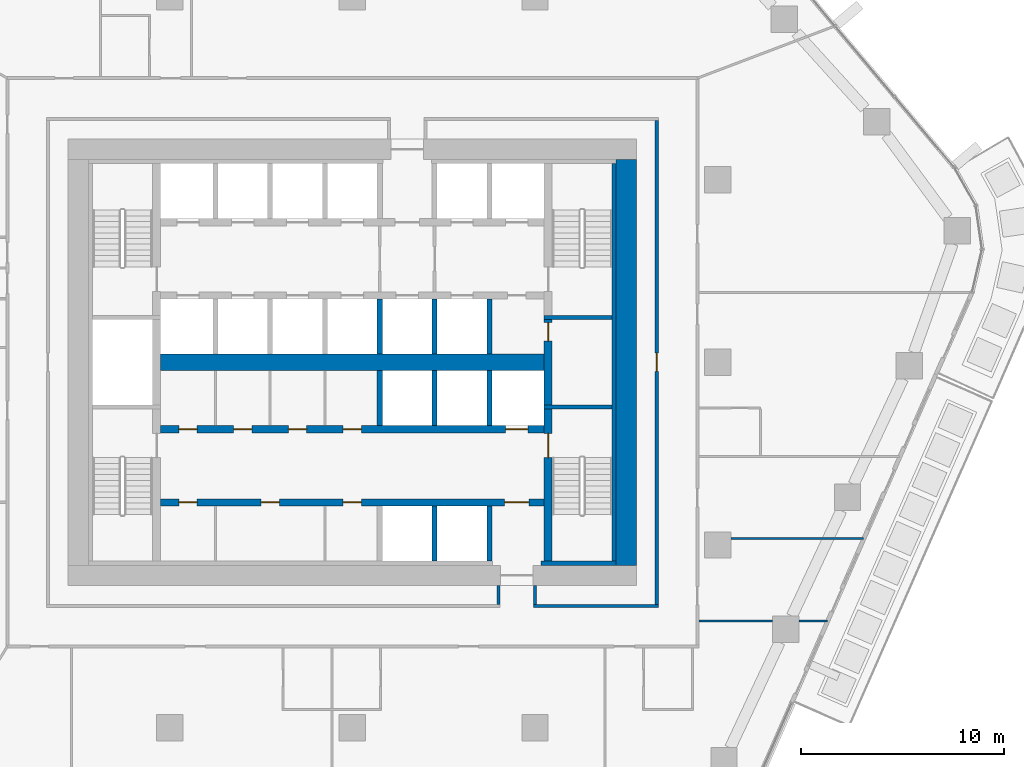
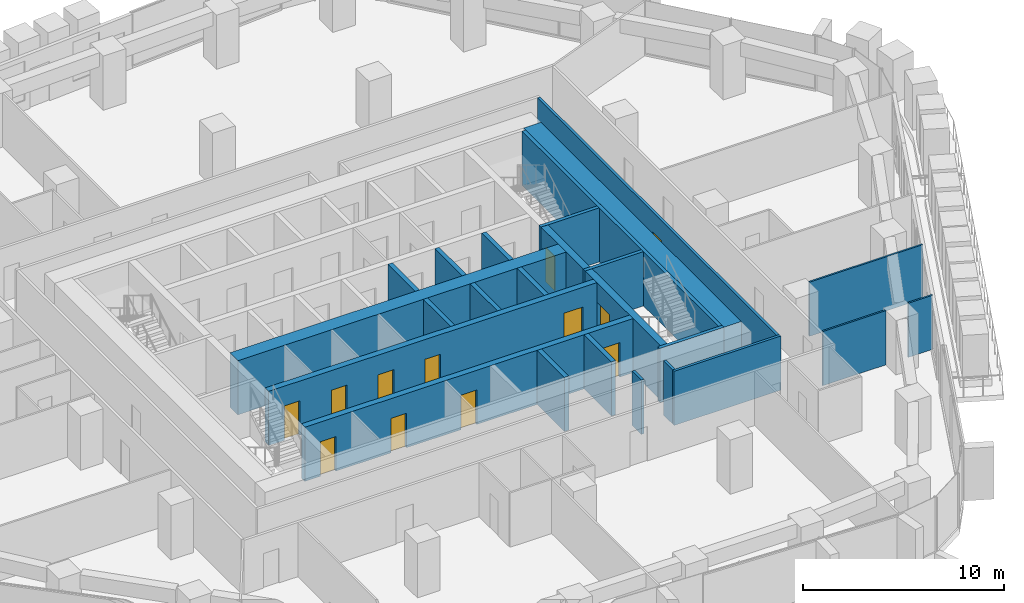
# One storey, part 13 of 23: 25 walls, 12 doors, 12 openings.
"""IFC4 building model written with IfcOpenShell, lengths in metres."""

from ifc_helpers import new_model, si_unit, direction, frame, frame_2d, origin, place, context, subcontext, project, spatial, rectangle, extrude, material, layer, layer_set, type_object, element, fill, save


model = new_model("IFC4")

# Units and contexts
model_context = context("Model", 3, precision=1e-05, world=origin(), true_north=direction((0.0, 1.0)))
body_context = subcontext(model_context, "Body", "Model", "MODEL_VIEW")
ifc_project = project(units=[si_unit("LENGTHUNIT", "METRE"), si_unit("AREAUNIT", "SQUARE_METRE"), si_unit("VOLUMEUNIT", "CUBIC_METRE"), si_unit("PLANEANGLEUNIT", "RADIAN"), si_unit("MASSUNIT", "GRAM", prefix="KILO")], contexts=[model_context])

# Site, building, storey
site_placement = place(None, origin())
site = spatial("IfcSite", under=ifc_project, at=site_placement, CompositionType="ELEMENT")
building_placement = place(site_placement, origin())
building = spatial("IfcBuilding", under=site, at=building_placement, Name="Dongbaek Canopy Tower", CompositionType="ELEMENT")
storey_placement = place(building_placement, frame((0.0, 0.0, 135.89990234375)))
storey = spatial("IfcBuildingStorey", under=building, at=storey_placement, Name="L30", CompositionType="ELEMENT", Elevation=135.89990234375)

# Wall
ifc_material_1 = material(Name="Concrete C60/75", Category="concrete")
ifc_layer_1 = layer(ifc_material_1, 0.800048828125)
ifc_layer_set_1 = layer_set([ifc_layer_1], Name="Core central wall 800 Concrete C60/75")
wall_type_1 = type_object("IfcWallType", Name="Core central wall 800 Concrete C60/75", PredefinedType="SHEAR", material=ifc_layer_set_1)
wall_1_placement = place(storey_placement, frame((-9.449951171875, 0.0, 0.0), z_axis=(0.0, 0.0, 1.0), x_axis=(1.0, 0.0, 0.0)))
element("IfcWall", 1, at=wall_1_placement, inside=storey, type_object=wall_type_1, Name="Core wall", PredefinedType="SHEAR", context=body_context, shape_type="SweptSolid", body=[
    extrude(rectangle(XDim=18.89990234375, YDim=0.800048828125, at=frame_2d((9.449951171875, 0.0))), origin(), (0.0, 0.0, 1.0), 3.300048828125),
])

# Wall, openings, doors
ifc_material_2 = material(Name="Concrete C60/75", Category="concrete")
ifc_layer_2 = layer(ifc_material_2, 0.35009765625)
ifc_layer_set_2 = layer_set([ifc_layer_2], Name="Core lobby wall 350 Concrete C60/75")
wall_type_2 = type_object("IfcWallType", Name="Core lobby wall 350 Concrete C60/75", PredefinedType="SHEAR", material=ifc_layer_set_2)
wall_2_placement = place(storey_placement, frame((-9.449951171875, -3.300048828125, 0.0), z_axis=(0.0, 0.0, 1.0), x_axis=(1.0, 0.0, 0.0)))
wall_2 = element("IfcWall", 2, at=wall_2_placement, inside=storey, type_object=wall_type_2, Name="Core wall", PredefinedType="SHEAR", context=body_context, shape_type="SweptSolid", body=[
    extrude(rectangle(XDim=18.89990234375, YDim=0.35009765625, at=frame_2d((9.449951171875, 0.0))), origin(), (0.0, 0.0, 1.0), 3.300048828125),
])
opening_1_placement = place(wall_2_placement, frame((17.0, 0.0, 0.0)))
opening_1 = element("IfcOpeningElement", 3, at=opening_1_placement, cuts=wall_2, Name="Opening L30-D041", PredefinedType="OPENING", context=body_context, shape_type="SweptSolid", body=[
    extrude(rectangle(XDim=1.10009765625, YDim=2.10009765625, at=frame_2d((0.550048828125, 1.050048828125))), frame((0.0, 0.18505859375, 0.0), z_axis=(0.0, -1.0, 0.0), x_axis=(1.0, 0.0, 0.0)), (0.0, 0.0, 1.0), 0.3701171875),
])
opening_2_placement = place(wall_2_placement, frame((0.89990234375, 0.0, 0.0)))
opening_2 = element("IfcOpeningElement", 4, at=opening_2_placement, cuts=wall_2, Name="Opening L30-D044", PredefinedType="OPENING", context=body_context, shape_type="SweptSolid", body=[
    extrude(rectangle(XDim=0.89990234375, YDim=2.10009765625, at=frame_2d((0.449951171875, 1.050048828125))), frame((0.0, 0.18505859375, 0.0), z_axis=(0.0, -1.0, 0.0), x_axis=(1.0, 0.0, 0.0)), (0.0, 0.0, 1.0), 0.3701171875),
])
opening_3_placement = place(wall_2_placement, frame((3.60009765625, 0.0, 0.0)))
opening_3 = element("IfcOpeningElement", 5, at=opening_3_placement, cuts=wall_2, Name="Opening L30-D045", PredefinedType="OPENING", context=body_context, shape_type="SweptSolid", body=[
    extrude(rectangle(XDim=0.89990234375, YDim=2.10009765625, at=frame_2d((0.449951171875, 1.050048828125))), frame((0.0, 0.18505859375, 0.0), z_axis=(0.0, -1.0, 0.0), x_axis=(1.0, 0.0, 0.0)), (0.0, 0.0, 1.0), 0.3701171875),
])
opening_4_placement = place(wall_2_placement, frame((6.300048828125, 0.0, 0.0)))
opening_4 = element("IfcOpeningElement", 6, at=opening_4_placement, cuts=wall_2, Name="Opening L30-D046", PredefinedType="OPENING", context=body_context, shape_type="SweptSolid", body=[
    extrude(rectangle(XDim=0.89990234375, YDim=2.10009765625, at=frame_2d((0.449951171875, 1.050048828125))), frame((0.0, 0.18505859375, 0.0), z_axis=(0.0, -1.0, 0.0), x_axis=(1.0, 0.0, 0.0)), (0.0, 0.0, 1.0), 0.3701171875),
])
opening_5_placement = place(wall_2_placement, frame((9.0, 0.0, 0.0)))
opening_5 = element("IfcOpeningElement", 7, at=opening_5_placement, cuts=wall_2, Name="Opening L30-D047", PredefinedType="OPENING", context=body_context, shape_type="SweptSolid", body=[
    extrude(rectangle(XDim=0.89990234375, YDim=2.10009765625, at=frame_2d((0.449951171875, 1.050048828125))), frame((0.0, 0.18505859375, 0.0), z_axis=(0.0, -1.0, 0.0), x_axis=(1.0, 0.0, 0.0)), (0.0, 0.0, 1.0), 0.3701171875),
])
ifc_material_3 = material(Name="Steel", Category="steel")
door_type_1 = type_object("IfcDoorType", Name="Core room door 900 x 2100", OperationType="SINGLE_SWING_LEFT", PredefinedType="DOOR", material=ifc_material_3)
door_1_placement = place(opening_2_placement, origin())
door_1 = element("IfcDoor", 8, at=door_1_placement, inside=storey, type_object=door_type_1, Name="Door L30-D044", OperationType="SINGLE_SWING_RIGHT", OverallHeight=2.10009765625, OverallWidth=0.89990234375, PredefinedType="DOOR", context=body_context, shape_type="SweptSolid", body=[
    extrude(rectangle(XDim=0.89990234375, YDim=2.10009765625, at=frame_2d((0.449951171875, 1.050048828125))), frame((0.0, 0.02490234375, 0.0), z_axis=(0.0, -1.0, 0.0), x_axis=(1.0, 0.0, 0.0)), (0.0, 0.0, 1.0), 0.050048828125),
])
fill(opening_2, door_1)
door_2_placement = place(opening_3_placement, origin())
door_2 = element("IfcDoor", 9, at=door_2_placement, inside=storey, type_object=door_type_1, Name="Door L30-D045", OperationType="SINGLE_SWING_LEFT", OverallHeight=2.10009765625, OverallWidth=0.89990234375, PredefinedType="DOOR", context=body_context, shape_type="SweptSolid", body=[
    extrude(rectangle(XDim=0.89990234375, YDim=2.10009765625, at=frame_2d((0.449951171875, 1.050048828125))), frame((0.0, 0.02490234375, 0.0), z_axis=(0.0, -1.0, 0.0), x_axis=(1.0, 0.0, 0.0)), (0.0, 0.0, 1.0), 0.050048828125),
])
fill(opening_3, door_2)
door_3_placement = place(opening_4_placement, origin())
door_3 = element("IfcDoor", 10, at=door_3_placement, inside=storey, type_object=door_type_1, Name="Door L30-D046", OperationType="SINGLE_SWING_RIGHT", OverallHeight=2.10009765625, OverallWidth=0.89990234375, PredefinedType="DOOR", context=body_context, shape_type="SweptSolid", body=[
    extrude(rectangle(XDim=0.89990234375, YDim=2.10009765625, at=frame_2d((0.449951171875, 1.050048828125))), frame((0.0, 0.02490234375, 0.0), z_axis=(0.0, -1.0, 0.0), x_axis=(1.0, 0.0, 0.0)), (0.0, 0.0, 1.0), 0.050048828125),
])
fill(opening_4, door_3)
door_4_placement = place(opening_5_placement, origin())
door_4 = element("IfcDoor", 11, at=door_4_placement, inside=storey, type_object=door_type_1, Name="Door L30-D047", OperationType="SINGLE_SWING_LEFT", OverallHeight=2.10009765625, OverallWidth=0.89990234375, PredefinedType="DOOR", context=body_context, shape_type="SweptSolid", body=[
    extrude(rectangle(XDim=0.89990234375, YDim=2.10009765625, at=frame_2d((0.449951171875, 1.050048828125))), frame((0.0, 0.02490234375, 0.0), z_axis=(0.0, -1.0, 0.0), x_axis=(1.0, 0.0, 0.0)), (0.0, 0.0, 1.0), 0.050048828125),
])
fill(opening_5, door_4)
ifc_material_4 = material(Name="Stainless steel", Category="steel")
door_type_2 = type_object("IfcDoorType", Name="Lift landing door 1100 x 2100", OperationType="DOUBLE_DOOR_SLIDING", PredefinedType="DOOR", material=ifc_material_4)
door_5_placement = place(opening_1_placement, origin())
door_5 = element("IfcDoor", 12, at=door_5_placement, inside=storey, type_object=door_type_2, Name="Landing door SV2", OperationType="DOUBLE_DOOR_SLIDING", OverallHeight=2.10009765625, OverallWidth=1.10009765625, PredefinedType="DOOR", context=body_context, shape_type="SweptSolid", body=[
    extrude(rectangle(XDim=1.10009765625, YDim=2.10009765625, at=frame_2d((0.550048828125, 1.050048828125))), frame((0.0, 0.02490234375, 0.0), z_axis=(0.0, -1.0, 0.0), x_axis=(1.0, 0.0, 0.0)), (0.0, 0.0, 1.0), 0.050048828125),
])
fill(opening_1, door_5)

wall_3_placement = place(storey_placement, frame((9.449951171875, -6.89990234375, 0.0), z_axis=(0.0, 0.0, 1.0), x_axis=(-1.0, 0.0, 0.0)))
wall_3 = element("IfcWall", 13, at=wall_3_placement, inside=storey, type_object=wall_type_2, Name="Core wall", PredefinedType="SHEAR", context=body_context, shape_type="SweptSolid", body=[
    extrude(rectangle(XDim=18.89990234375, YDim=0.35009765625, at=frame_2d((9.449951171875, 0.0))), origin(), (0.0, 0.0, 1.0), 3.300048828125),
])
opening_6_placement = place(wall_3_placement, frame((0.75, 0.0, 0.0)))
opening_6 = element("IfcOpeningElement", 14, at=opening_6_placement, cuts=wall_3, Name="Opening L30-D043", PredefinedType="OPENING", context=body_context, shape_type="SweptSolid", body=[
    extrude(rectangle(XDim=1.199951171875, YDim=2.10009765625, at=frame_2d((0.60009765625, 1.050048828125))), frame((0.0, 0.18505859375, 0.0), z_axis=(0.0, -1.0, 0.0), x_axis=(1.0, 0.0, 0.0)), (0.0, 0.0, 1.0), 0.3701171875),
])
opening_7_placement = place(wall_3_placement, frame((17.10009765625, 0.0, 0.0)))
opening_7 = element("IfcOpeningElement", 15, at=opening_7_placement, cuts=wall_3, Name="Opening L30-D048", PredefinedType="OPENING", context=body_context, shape_type="SweptSolid", body=[
    extrude(rectangle(XDim=0.89990234375, YDim=2.10009765625, at=frame_2d((0.449951171875, 1.050048828125))), frame((0.0, 0.18505859375, 0.0), z_axis=(0.0, -1.0, 0.0), x_axis=(1.0, 0.0, 0.0)), (0.0, 0.0, 1.0), 0.3701171875),
])
opening_8_placement = place(wall_3_placement, frame((13.050048828125, 0.0, 0.0)))
opening_8 = element("IfcOpeningElement", 16, at=opening_8_placement, cuts=wall_3, Name="Opening L30-D049", PredefinedType="OPENING", context=body_context, shape_type="SweptSolid", body=[
    extrude(rectangle(XDim=0.89990234375, YDim=2.10009765625, at=frame_2d((0.449951171875, 1.050048828125))), frame((0.0, 0.18505859375, 0.0), z_axis=(0.0, -1.0, 0.0), x_axis=(1.0, 0.0, 0.0)), (0.0, 0.0, 1.0), 0.3701171875),
])
opening_9_placement = place(wall_3_placement, frame((9.0, 0.0, 0.0)))
opening_9 = element("IfcOpeningElement", 17, at=opening_9_placement, cuts=wall_3, Name="Opening L30-D050", PredefinedType="OPENING", context=body_context, shape_type="SweptSolid", body=[
    extrude(rectangle(XDim=0.89990234375, YDim=2.10009765625, at=frame_2d((0.449951171875, 1.050048828125))), frame((0.0, 0.18505859375, 0.0), z_axis=(0.0, -1.0, 0.0), x_axis=(1.0, 0.0, 0.0)), (0.0, 0.0, 1.0), 0.3701171875),
])
door_6_placement = place(opening_7_placement, origin())
door_6 = element("IfcDoor", 18, at=door_6_placement, inside=storey, type_object=door_type_1, Name="Door L30-D048", OperationType="SINGLE_SWING_RIGHT", OverallHeight=2.10009765625, OverallWidth=0.89990234375, PredefinedType="DOOR", context=body_context, shape_type="SweptSolid", body=[
    extrude(rectangle(XDim=0.89990234375, YDim=2.10009765625, at=frame_2d((0.449951171875, 1.050048828125))), frame((0.0, 0.02490234375, 0.0), z_axis=(0.0, -1.0, 0.0), x_axis=(1.0, 0.0, 0.0)), (0.0, 0.0, 1.0), 0.050048828125),
])
fill(opening_7, door_6)
door_7_placement = place(opening_8_placement, origin())
door_7 = element("IfcDoor", 19, at=door_7_placement, inside=storey, type_object=door_type_1, Name="Door L30-D049", OperationType="SINGLE_SWING_LEFT", OverallHeight=2.10009765625, OverallWidth=0.89990234375, PredefinedType="DOOR", context=body_context, shape_type="SweptSolid", body=[
    extrude(rectangle(XDim=0.89990234375, YDim=2.10009765625, at=frame_2d((0.449951171875, 1.050048828125))), frame((0.0, 0.02490234375, 0.0), z_axis=(0.0, -1.0, 0.0), x_axis=(1.0, 0.0, 0.0)), (0.0, 0.0, 1.0), 0.050048828125),
])
fill(opening_8, door_7)
door_8_placement = place(opening_9_placement, origin())
door_8 = element("IfcDoor", 20, at=door_8_placement, inside=storey, type_object=door_type_1, Name="Door L30-D050", OperationType="SINGLE_SWING_RIGHT", OverallHeight=2.10009765625, OverallWidth=0.89990234375, PredefinedType="DOOR", context=body_context, shape_type="SweptSolid", body=[
    extrude(rectangle(XDim=0.89990234375, YDim=2.10009765625, at=frame_2d((0.449951171875, 1.050048828125))), frame((0.0, 0.02490234375, 0.0), z_axis=(0.0, -1.0, 0.0), x_axis=(1.0, 0.0, 0.0)), (0.0, 0.0, 1.0), 0.050048828125),
])
fill(opening_9, door_8)
ifc_material_5 = material(Name="Steel", Category="steel")
door_type_3 = type_object("IfcDoorType", Name="Fire lobby door 1200 x 2100", OperationType="SINGLE_SWING_LEFT", PredefinedType="DOOR", material=ifc_material_5)
door_9_placement = place(opening_6_placement, origin())
door_9 = element("IfcDoor", 21, at=door_9_placement, inside=storey, type_object=door_type_3, Name="Door L30-D043", OperationType="SINGLE_SWING_LEFT", OverallHeight=2.10009765625, OverallWidth=1.199951171875, PredefinedType="DOOR", context=body_context, shape_type="SweptSolid", body=[
    extrude(rectangle(XDim=1.199951171875, YDim=2.10009765625, at=frame_2d((0.60009765625, 1.050048828125))), frame((0.0, 0.02490234375, 0.0), z_axis=(0.0, -1.0, 0.0), x_axis=(1.0, 0.0, 0.0)), (0.0, 0.0, 1.0), 0.050048828125),
])
fill(opening_6, door_9)

# Walls
ifc_material_6 = material(Name="Concrete C60/75", Category="concrete")
ifc_layer_3 = layer(ifc_material_6, 1.0)
ifc_layer_set_3 = layer_set([ifc_layer_3], Name="Core outer wall 1000 Concrete C60/75")
wall_type_3 = type_object("IfcWallType", Name="Core outer wall 1000 Concrete C60/75", PredefinedType="SHEAR", material=ifc_layer_set_3)
wall_4_placement = place(storey_placement, frame((13.5, 10.0, 0.0), z_axis=(0.0, 0.0, 1.0), x_axis=(0.0, -1.0, 0.0)))
element("IfcWall", 22, at=wall_4_placement, inside=storey, type_object=wall_type_3, Name="Core wall", PredefinedType="SHEAR", context=body_context, shape_type="SweptSolid", body=[
    extrude(rectangle(XDim=20.0, YDim=1.0, at=frame_2d((10.0, 0.0))), origin(), (0.0, 0.0, 1.0), 3.300048828125),
])
ifc_material_7 = material(Name="Concrete C60/75", Category="concrete")
ifc_layer_4 = layer(ifc_material_7, 0.199951171875)
ifc_layer_set_4 = layer_set([ifc_layer_4], Name="Core wall lining 200 Concrete C60/75")
wall_type_4 = type_object("IfcWallType", Name="Core wall lining 200 Concrete C60/75", PredefinedType="SHEAR", material=ifc_layer_set_4)
wall_5_placement = place(storey_placement, frame((13.0, -9.89990234375, 0.0), z_axis=(0.0, 0.0, 1.0), x_axis=(-1.0, 0.0, 0.0)))
element("IfcWall", 23, at=wall_5_placement, inside=storey, type_object=wall_type_4, Name="Core wall lining", PredefinedType="SHEAR", context=body_context, shape_type="SweptSolid", body=[
    extrude(rectangle(XDim=3.699951171875, YDim=0.199951171875, at=frame_2d((1.85009765625, 0.0))), origin(), (0.0, 0.0, 1.0), 3.300048828125),
])
wall_6_placement = place(storey_placement, frame((12.89990234375, 9.800048828125, 0.0), z_axis=(0.0, 0.0, 1.0), x_axis=(0.0, -1.0, 0.0)))
element("IfcWall", 24, at=wall_6_placement, inside=storey, type_object=wall_type_4, Name="Core wall lining", PredefinedType="SHEAR", context=body_context, shape_type="SweptSolid", body=[
    extrude(rectangle(XDim=19.60009765625, YDim=0.199951171875, at=frame_2d((9.800048828125, 0.0))), origin(), (0.0, 0.0, 1.0), 3.300048828125),
])
ifc_material_8 = material(Name="Gypsum board partition, steel stud, 2 x 15 mm fire board", Category="steel")
ifc_layer_5 = layer(ifc_material_8, 0.14990234375)
ifc_layer_set_5 = layer_set([ifc_layer_5], Name="Fire-rated partition 150 gypsum board")
wall_type_5 = type_object("IfcWallType", Name="Fire-rated partition 150 gypsum board", PredefinedType="PARTITIONING", material=ifc_layer_set_5)
wall_7_placement = place(storey_placement, frame((8.925048828125, -12.0, 0.0), z_axis=(0.0, 0.0, 1.0), x_axis=(1.0, 0.0, 0.0)))
element("IfcWall", 25, at=wall_7_placement, inside=storey, type_object=wall_type_5, Name="Corridor partition", PredefinedType="PARTITIONING", context=body_context, shape_type="SweptSolid", body=[
    extrude(rectangle(XDim=6.14990234375, YDim=0.14990234375, at=frame_2d((3.074951171875, 0.0))), origin(), (0.0, 0.0, 1.0), 3.300048828125),
])

# Wall, opening, door
wall_8_placement = place(storey_placement, frame((15.0, -11.925048828125, 0.0), z_axis=(0.0, 0.0, 1.0), x_axis=(0.0, 1.0, 0.0)))
wall_8 = element("IfcWall", 26, at=wall_8_placement, inside=storey, type_object=wall_type_5, Name="Corridor partition", PredefinedType="PARTITIONING", context=body_context, shape_type="SweptSolid", body=[
    extrude(rectangle(XDim=23.85009765625, YDim=0.14990234375, at=frame_2d((11.925048828125, 0.0))), origin(), (0.0, 0.0, 1.0), 3.300048828125),
])
opening_10_placement = place(wall_8_placement, frame((11.47509765625, 0.0, 0.0)))
opening_10 = element("IfcOpeningElement", 27, at=opening_10_placement, cuts=wall_8, Name="Opening L30-D024", PredefinedType="OPENING", context=body_context, shape_type="SweptSolid", body=[
    extrude(rectangle(XDim=0.89990234375, YDim=2.10009765625, at=frame_2d((0.449951171875, 1.050048828125))), frame((0.0, 0.0849609375, 0.0), z_axis=(0.0, -1.0, 0.0), x_axis=(1.0, 0.0, 0.0)), (0.0, 0.0, 1.0), 0.169921875),
])
ifc_material_9 = material(Name="Timber veneered door leaf", Category="wood")
door_type_4 = type_object("IfcDoorType", Name="Room door 900 x 2100", OperationType="SINGLE_SWING_LEFT", PredefinedType="DOOR", material=ifc_material_9)
door_10_placement = place(opening_10_placement, origin())
door_10 = element("IfcDoor", 28, at=door_10_placement, inside=storey, type_object=door_type_4, Name="Door L30-D024", OperationType="SINGLE_SWING_LEFT", OverallHeight=2.10009765625, OverallWidth=0.89990234375, PredefinedType="DOOR", context=body_context, shape_type="SweptSolid", body=[
    extrude(rectangle(XDim=0.89990234375, YDim=2.10009765625, at=frame_2d((0.449951171875, 1.050048828125))), frame((0.0, 0.02490234375, 0.0), z_axis=(0.0, -1.0, 0.0), x_axis=(1.0, 0.0, 0.0)), (0.0, 0.0, 1.0), 0.050048828125),
])
fill(opening_10, door_10)

# Walls
for number, where, z_axis, x_axis, name in (
    (29, (9.0, -11.925048828125, 0.0), (0.0, 0.0, 1.0), (0.0, 1.0, 0.0), "Corridor partition"),
    (30, (7.199951171875, -11.925048828125, 0.0), (0.0, 0.0, 1.0), (0.0, 1.0, 0.0), "Corridor partition"),
):
    element("IfcWall", number, at=place(storey_placement, frame(where, z_axis=z_axis, x_axis=x_axis)), inside=storey, type_object=wall_type_5, Name=name, PredefinedType="PARTITIONING", context=body_context, shape_type="SweptSolid", body=[
        extrude(rectangle(XDim=0.925048828125, YDim=0.14990234375, at=frame_2d((0.46240234375, 0.0))), origin(), (0.0, 0.0, 1.0), 3.300048828125),
    ])
ifc_material_10 = material(Name="Concrete C40/50", Category="concrete")
ifc_layer_6 = layer(ifc_material_10, 0.25)
ifc_layer_set_6 = layer_set([ifc_layer_6], Name="Lift shaft wall 250 Concrete C40/50")
wall_type_6 = type_object("IfcWallType", Name="Lift shaft wall 250 Concrete C40/50", PredefinedType="SOLIDWALL", material=ifc_layer_set_6)
for number, where, z_axis, x_axis, name in (
    (31, (6.75, -9.800048828125, 0.0), (0.0, 0.0, 1.0), (0.0, 1.0, 0.0), "Lift shaft wall"),
    (32, (6.75, -3.125, 0.0), (0.0, 0.0, 1.0), (0.0, 1.0, 0.0), "Lift shaft wall"),
    (33, (6.75, 0.39990234375, 0.0), (0.0, 0.0, 1.0), (0.0, 1.0, 0.0), "Lift shaft wall"),
    (34, (4.050048828125, -9.800048828125, 0.0), (0.0, 0.0, 1.0), (0.0, 1.0, 0.0), "Lift shaft wall"),
    (35, (4.050048828125, -3.125, 0.0), (0.0, 0.0, 1.0), (0.0, 1.0, 0.0), "Lift shaft wall"),
    (36, (4.050048828125, 0.39990234375, 0.0), (0.0, 0.0, 1.0), (0.0, 1.0, 0.0), "Lift shaft wall"),
    (37, (1.35009765625, -3.125, 0.0), (0.0, 0.0, 1.0), (0.0, 1.0, 0.0), "Lift shaft wall"),
    (38, (1.35009765625, 0.39990234375, 0.0), (0.0, 0.0, 1.0), (0.0, 1.0, 0.0), "Lift shaft wall"),
):
    element("IfcWall", number, at=place(storey_placement, frame(where, z_axis=z_axis, x_axis=x_axis)), inside=storey, type_object=wall_type_6, Name=name, PredefinedType="SOLIDWALL", context=body_context, shape_type="SweptSolid", body=[
        extrude(rectangle(XDim=2.72509765625, YDim=0.25, at=frame_2d((1.362548828125, 0.0))), origin(), (0.0, 0.0, 1.0), 3.300048828125),
    ])
ifc_material_11 = material(Name="Gypsum board partition, steel stud, 2 x 12.5 mm board", Category="steel")
ifc_layer_7 = layer(ifc_material_11, 0.10009765625)
ifc_layer_set_7 = layer_set([ifc_layer_7], Name="Partition 100 gypsum board")
wall_type_7 = type_object("IfcWallType", Name="Partition 100 gypsum board", PredefinedType="PARTITIONING", material=ifc_layer_set_7)
wall_9_placement = place(storey_placement, frame((17.074951171875, -12.737060546875, 0.0), z_axis=(0.0, 0.0, 1.0), x_axis=(1.0, 0.0, 0.0)))
element("IfcWall", 39, at=wall_9_placement, inside=storey, type_object=wall_type_7, Name="Partition", PredefinedType="PARTITIONING", context=body_context, shape_type="SweptSolid", body=[
    extrude(rectangle(XDim=3.631103515625, YDim=0.10009765625, at=frame_2d((1.8154296875, 0.0))), origin(), (0.0, 0.0, 1.0), 3.300048828125),
])
wall_10_placement = place(storey_placement, frame((22.006103515625, -12.737060546875, 0.0), z_axis=(0.0, 0.0, 1.0), x_axis=(1.0, 0.0, 0.0)))
element("IfcWall", 40, at=wall_10_placement, inside=storey, type_object=wall_type_7, Name="Partition", PredefinedType="PARTITIONING", context=body_context, shape_type="SweptSolid", body=[
    extrude(rectangle(XDim=1.39990234375, YDim=0.10009765625, at=frame_2d((0.699951171875, 0.0))), origin(), (0.0, 0.0, 1.0), 3.300048828125),
])
wall_11_placement = place(storey_placement, frame((18.64990234375, -8.69091796875, 0.0), z_axis=(0.0, 0.0, 1.0), x_axis=(1.0, 0.0, 0.0)))
element("IfcWall", 41, at=wall_11_placement, inside=storey, type_object=wall_type_7, Name="Partition", PredefinedType="PARTITIONING", context=body_context, shape_type="SweptSolid", body=[
    extrude(rectangle(XDim=6.533203125, YDim=0.10009765625, at=frame_2d((3.2666015625, 0.0))), origin(), (0.0, 0.0, 1.0), 3.300048828125),
])
ifc_material_12 = material(Name="Concrete C60/75", Category="concrete")
ifc_layer_8 = layer(ifc_material_12, 0.199951171875)
ifc_layer_set_8 = layer_set([ifc_layer_8], Name="Riser wall 200 Concrete C60/75")
wall_type_8 = type_object("IfcWallType", Name="Riser wall 200 Concrete C60/75", PredefinedType="SHEAR", material=ifc_layer_set_8)
for number, where, z_axis, x_axis, name in (
    (42, (9.449951171875, 2.199951171875, 0.0), (0.0, 0.0, 1.0), (1.0, 0.0, 0.0), "Riser wall"),
    (43, (9.449951171875, -2.199951171875, 0.0), (0.0, 0.0, 1.0), (1.0, 0.0, 0.0), "Riser wall"),
):
    element("IfcWall", number, at=place(storey_placement, frame(where, z_axis=z_axis, x_axis=x_axis)), inside=storey, type_object=wall_type_8, Name=name, PredefinedType="SHEAR", context=body_context, shape_type="SweptSolid", body=[
        extrude(rectangle(XDim=3.35009765625, YDim=0.199951171875, at=frame_2d((1.675048828125, 0.0))), origin(), (0.0, 0.0, 1.0), 3.300048828125),
    ])

# Wall, opening, door
ifc_material_13 = material(Name="Concrete C60/75", Category="concrete")
ifc_layer_9 = layer(ifc_material_13, 0.39990234375)
ifc_layer_set_9 = layer_set([ifc_layer_9], Name="Stair wall 400 Concrete C60/75")
wall_type_9 = type_object("IfcWallType", Name="Stair wall 400 Concrete C60/75", PredefinedType="SHEAR", material=ifc_layer_set_9)
wall_12_placement = place(storey_placement, frame((9.64990234375, -2.300048828125, 0.0), z_axis=(0.0, 0.0, 1.0), x_axis=(0.0, -1.0, 0.0)))
wall_12 = element("IfcWall", 44, at=wall_12_placement, inside=storey, type_object=wall_type_9, Name="Stair wall", PredefinedType="SHEAR", context=body_context, shape_type="SweptSolid", body=[
    extrude(rectangle(XDim=7.5, YDim=0.39990234375, at=frame_2d((3.75, 0.0))), origin(), (0.0, 0.0, 1.0), 3.300048828125),
])
opening_11_placement = place(wall_12_placement, frame((1.199951171875, 0.0, 0.0)))
opening_11 = element("IfcOpeningElement", 45, at=opening_11_placement, cuts=wall_12, Name="Opening L30-D053", PredefinedType="OPENING", context=body_context, shape_type="SweptSolid", body=[
    extrude(rectangle(XDim=1.199951171875, YDim=2.10009765625, at=frame_2d((0.60009765625, 1.050048828125))), frame((0.0, 0.2099609375, 0.0), z_axis=(0.0, -1.0, 0.0), x_axis=(1.0, 0.0, 0.0)), (0.0, 0.0, 1.0), 0.419921875),
])
ifc_material_14 = material(Name="Steel", Category="steel")
door_type_5 = type_object("IfcDoorType", Name="Stair door 1200 x 2100", OperationType="SINGLE_SWING_LEFT", PredefinedType="DOOR", material=ifc_material_14)
door_11_placement = place(opening_11_placement, origin())
door_11 = element("IfcDoor", 46, at=door_11_placement, inside=storey, type_object=door_type_5, Name="Stair B door", OperationType="SINGLE_SWING_RIGHT", OverallHeight=2.10009765625, OverallWidth=1.199951171875, PredefinedType="DOOR", context=body_context, shape_type="SweptSolid", body=[
    extrude(rectangle(XDim=1.199951171875, YDim=2.10009765625, at=frame_2d((0.60009765625, 1.050048828125))), frame((0.0, 0.02490234375, 0.0), z_axis=(0.0, -1.0, 0.0), x_axis=(1.0, 0.0, 0.0)), (0.0, 0.0, 1.0), 0.050048828125),
])
fill(opening_11, door_11)

wall_13_placement = place(storey_placement, frame((9.64990234375, 2.10009765625, 0.0), z_axis=(0.0, 0.0, 1.0), x_axis=(0.0, -1.0, 0.0)))
wall_13 = element("IfcWall", 47, at=wall_13_placement, inside=storey, type_object=wall_type_9, Name="Stair wall", PredefinedType="SHEAR", context=body_context, shape_type="SweptSolid", body=[
    extrude(rectangle(XDim=4.2001953125, YDim=0.39990234375, at=frame_2d((2.10009765625, 0.0))), origin(), (0.0, 0.0, 1.0), 3.300048828125),
])
opening_12_placement = place(wall_13_placement, frame((0.14990234375, 0.0, 0.0)))
opening_12 = element("IfcOpeningElement", 48, at=opening_12_placement, cuts=wall_13, Name="Opening L30-D025", PredefinedType="OPENING", context=body_context, shape_type="SweptSolid", body=[
    extrude(rectangle(XDim=0.89990234375, YDim=2.10009765625, at=frame_2d((0.449951171875, 1.050048828125))), frame((0.0, 0.2099609375, 0.0), z_axis=(0.0, -1.0, 0.0), x_axis=(1.0, 0.0, 0.0)), (0.0, 0.0, 1.0), 0.419921875),
])
door_12_placement = place(opening_12_placement, origin())
door_12 = element("IfcDoor", 49, at=door_12_placement, inside=storey, type_object=door_type_1, Name="Door L30-D025", OperationType="SINGLE_SWING_RIGHT", OverallHeight=2.10009765625, OverallWidth=0.89990234375, PredefinedType="DOOR", context=body_context, shape_type="SweptSolid", body=[
    extrude(rectangle(XDim=0.89990234375, YDim=2.10009765625, at=frame_2d((0.449951171875, 1.050048828125))), frame((0.0, 0.02490234375, 0.0), z_axis=(0.0, -1.0, 0.0), x_axis=(1.0, 0.0, 0.0)), (0.0, 0.0, 1.0), 0.050048828125),
])
fill(opening_12, door_12)

save(model, "model.ifc")
